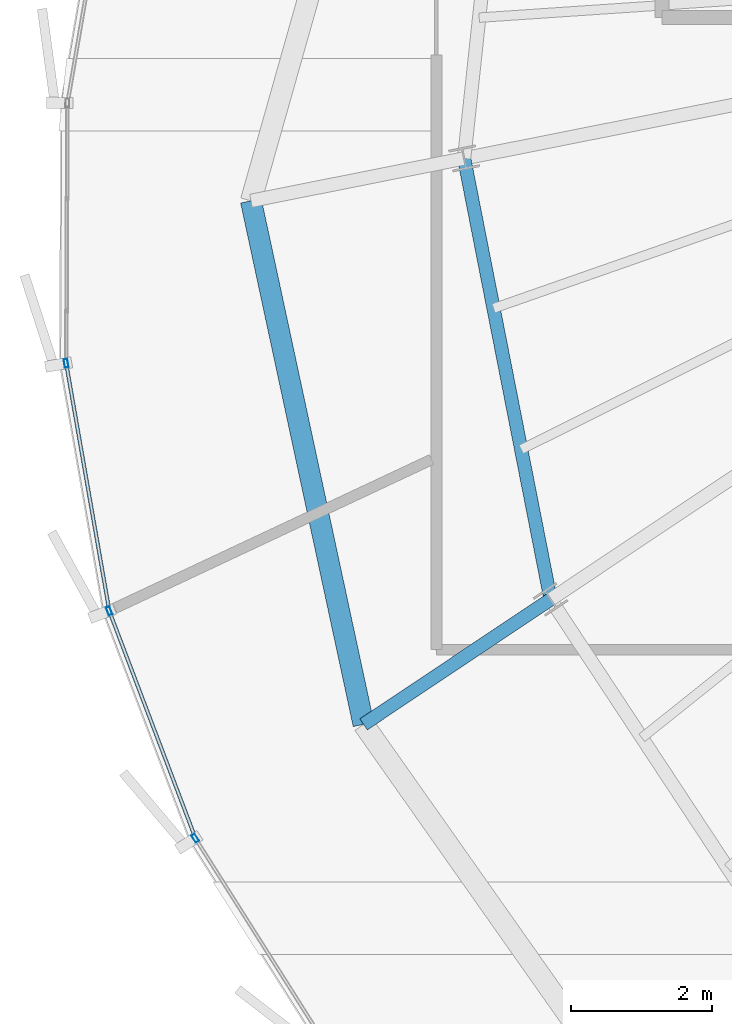
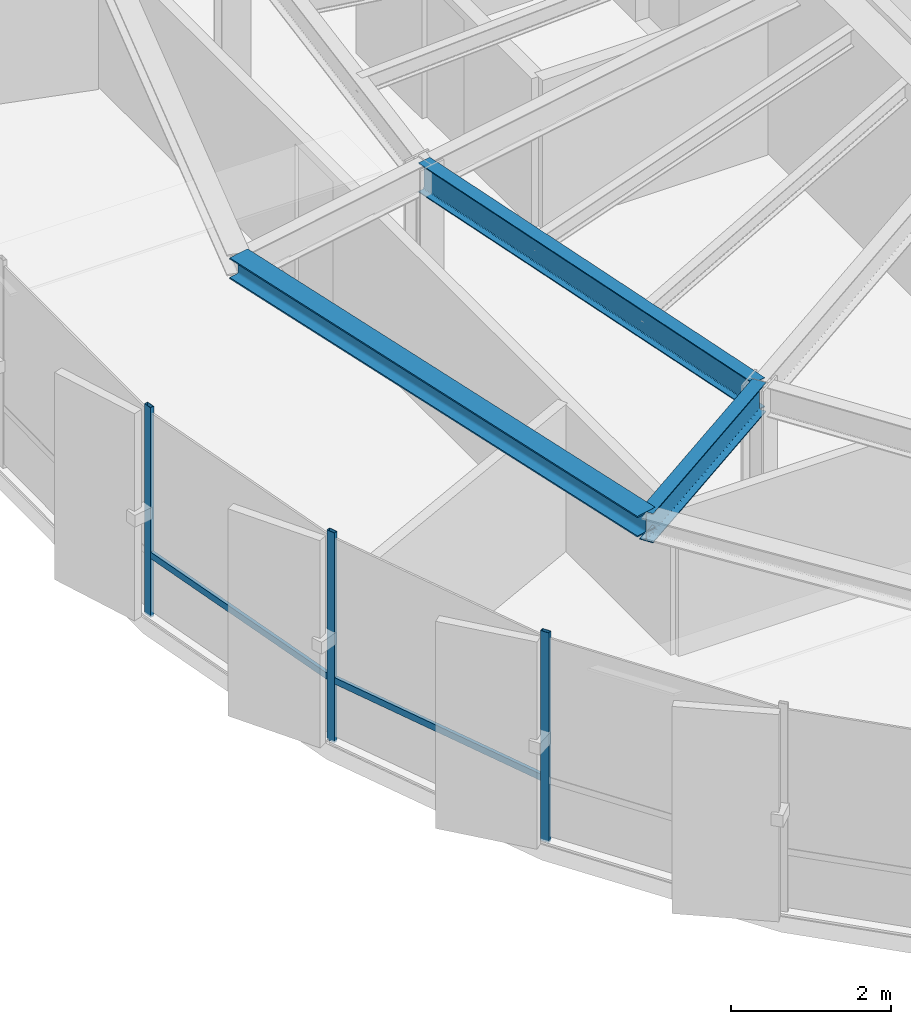
# One storey, part 4 of 33: 5 members, 3 beams, 1 element without a shape of its own.
"""IFC4 building model written with IfcOpenShell, lengths in metres."""

import ifcopenshell
import ifcopenshell.guid

model = None  # the IFC model being written
_history = None  # IfcOwnerHistory: only IFC2X3 demands one
_inside = {}  # id of a spatial element -> (the spatial element, [elements in it])
_under = {}  # id of a project, library or spatial element -> (it, [spatial elements below it])
_declared = {}  # id of a project -> (the project, [libraries it declares])
_typed = {}  # id of a type object -> (the type object, [elements of that type])
_made_of = {}  # id of a material, layer set ... -> (it, [elements and type objects made of it])


def new_model(schema):
    """Start an empty IFC model of exactly this schema.

    Asked for "IFC4X3", IfcOpenShell would pick the latest addendum, in which some entities
    have other attributes; the version numbers below select the first issue.
    IFC2X3 requires an IfcOwnerHistory on every rooted entity: one is made here for all.
    """
    global model, _history
    if schema == "IFC4X3":
        model = ifcopenshell.file(schema_version=(4, 3, 0, 0))
    else:
        model = ifcopenshell.file(schema=schema)
    _inside.clear()
    _under.clear()
    _declared.clear()
    _typed.clear()
    _made_of.clear()
    _history = None
    if model.schema == "IFC2X3":
        org = make("IfcOrganization", Name="unknown")
        user = make(
            "IfcPersonAndOrganization",
            ThePerson=make("IfcPerson", FamilyName="unknown"),
            TheOrganization=org,
        )
        app = make(
            "IfcApplication",
            ApplicationDeveloper=org,
            Version="unknown",
            ApplicationFullName="unknown",
            ApplicationIdentifier="unknown",
        )
        _history = make(
            "IfcOwnerHistory",
            OwningUser=user,
            OwningApplication=app,
            ChangeAction="ADDED",
            CreationDate=0,
        )
    return model


def make(cls, **values):
    """One entity of the class cls with the attributes given. An attribute that is None is left unset."""
    return model.create_entity(
        cls, **{name: value for name, value in values.items() if value is not None}
    )


def rooted(cls, **values):
    """An entity with a GlobalId (a new one), such as an element, a storey or a relation."""
    return make(cls, GlobalId=ifcopenshell.guid.new(), OwnerHistory=_history, **values)


def si_unit(unit_type, name, prefix=None):
    """IfcSIUnit, for example si_unit("LENGTHUNIT", "METRE", prefix="MILLI")."""
    return make("IfcSIUnit", UnitType=unit_type, Prefix=prefix, Name=name)


def assignment(units):
    """IfcUnitAssignment: the units of a project."""
    return None if units is None else make("IfcUnitAssignment", Units=units)


def point(xyz):
    """IfcCartesianPoint."""
    return None if xyz is None else make("IfcCartesianPoint", Coordinates=xyz)


def direction(xyz):
    """IfcDirection."""
    return None if xyz is None else make("IfcDirection", DirectionRatios=xyz)


def frame(location, z_axis=None, x_axis=None):
    """IfcAxis2Placement3D, a coordinate frame: its origin and axes. An axis left out is left unset."""
    return make(
        "IfcAxis2Placement3D",
        Location=point(location),
        Axis=direction(z_axis),
        RefDirection=direction(x_axis),
    )


def frame_2d(location, x_axis=None):
    """IfcAxis2Placement2D, a coordinate frame in the plane: its origin and x axis."""
    return make(
        "IfcAxis2Placement2D", Location=point(location), RefDirection=direction(x_axis)
    )


def origin():
    """The frame at (0, 0, 0) with its axes left unset."""
    return frame((0.0, 0.0, 0.0))


def origin_2d():
    """The frame at (0, 0) in the plane with its x axis left unset."""
    return frame_2d((0.0, 0.0))


def place(relative_to, where):
    """IfcLocalPlacement: puts the frame where relative to a parent placement (None: the world)."""
    return make(
        "IfcLocalPlacement", PlacementRelTo=relative_to, RelativePlacement=where
    )


def context(
    kind, dimensions, precision=None, world=None, true_north=None, identifier=None
):
    """IfcGeometricRepresentationContext, for example the 3D "Model" context."""
    return make(
        "IfcGeometricRepresentationContext",
        ContextIdentifier=identifier,
        ContextType=kind,
        CoordinateSpaceDimension=dimensions,
        Precision=precision,
        WorldCoordinateSystem=world,
        TrueNorth=true_north,
    )


def subcontext(parent, identifier, kind, view, scale=None):
    """IfcGeometricRepresentationSubContext, for example "Body" below "Model"."""
    return make(
        "IfcGeometricRepresentationSubContext",
        ContextIdentifier=identifier,
        ContextType=kind,
        ParentContext=parent,
        TargetScale=scale,
        TargetView=view,
    )


def project(units=None, contexts=None):
    """IfcProject with its units and contexts."""
    return rooted(
        "IfcProject",
        Name="project",
        RepresentationContexts=contexts,
        UnitsInContext=assignment(units),
    )


def spatial(cls, under=None, at=None, **own):
    """A site, building, storey or space (cls), placed at a placement, below another one or the project."""
    s = rooted(cls, ObjectPlacement=at, **own)
    if under is not None:
        _under.setdefault(under.id(), (under, []))[1].append(s)
    return s


def profile(cls, at=None, kind="AREA", **sizes):
    """A parametric profile (cls). Its sizes go by their IFC names, for example OverallWidth=200.0."""
    return make(cls, ProfileType=kind, Position=at, **sizes)


def hollow_rectangle(**sizes):
    """IfcRectangleHollowProfileDef."""
    return profile("IfcRectangleHollowProfileDef", **sizes)


def i_section(**sizes):
    """IfcIShapeProfileDef."""
    return profile("IfcIShapeProfileDef", **sizes)


def extrude(swept, where, along, depth):
    """IfcExtrudedAreaSolid: the profile swept, set in the frame where, extruded along a direction by depth."""
    return make(
        "IfcExtrudedAreaSolid",
        SweptArea=swept,
        Position=where,
        ExtrudedDirection=direction(along),
        Depth=depth,
    )


def shape(context_of_items, identifier, shape_type, items):
    """IfcShapeRepresentation: the items that make up one representation, for example the "Body"."""
    return make(
        "IfcShapeRepresentation",
        ContextOfItems=context_of_items,
        RepresentationIdentifier=identifier,
        RepresentationType=shape_type,
        Items=items,
    )


def source(mapping_origin, context_of_items, identifier, shape_type, items):
    """IfcRepresentationMap: a shape defined once, which mapped items show again and again."""
    return make(
        "IfcRepresentationMap",
        MappingOrigin=mapping_origin,
        MappedRepresentation=shape(context_of_items, identifier, shape_type, items),
    )


def transform(
    local_origin,
    x_axis=None,
    y_axis=None,
    z_axis=None,
    scale=None,
    scale2=None,
    scale3=None,
    uniform=True,
):
    """IfcCartesianTransformationOperator3D, or its non-uniform kind. x_axis, y_axis, z_axis: its Axis1, 2, 3."""
    if uniform:
        return make(
            "IfcCartesianTransformationOperator3D",
            Axis1=direction(x_axis),
            Axis2=direction(y_axis),
            LocalOrigin=point(local_origin),
            Scale=scale,
            Axis3=direction(z_axis),
        )
    return make(
        "IfcCartesianTransformationOperator3DnonUniform",
        Axis1=direction(x_axis),
        Axis2=direction(y_axis),
        LocalOrigin=point(local_origin),
        Scale=scale,
        Axis3=direction(z_axis),
        Scale2=scale2,
        Scale3=scale3,
    )


def mapped(mapping_source, mapping_target):
    """IfcMappedItem: shows the shape of a source again, moved by a transform."""
    return make(
        "IfcMappedItem", MappingSource=mapping_source, MappingTarget=mapping_target
    )


def material(Name=None, Category=None):
    """IfcMaterial."""
    return make("IfcMaterial", Name=Name, Category=Category)


def layer(
    of_material, thickness, ventilated=None, Name=None, Category=None, Priority=None
):
    """IfcMaterialLayer: one layer of a wall or slab, of a material (None: an air gap)."""
    return make(
        "IfcMaterialLayer",
        Material=of_material,
        LayerThickness=thickness,
        IsVentilated=ventilated,
        Name=Name,
        Category=Category,
        Priority=Priority,
    )


def layer_set(layers, Name=None):
    """IfcMaterialLayerSet."""
    return make("IfcMaterialLayerSet", MaterialLayers=layers, LayerSetName=Name)


def material_profile(
    of_material, cross_section, Name=None, Category=None, Priority=None
):
    """IfcMaterialProfile: a cross section and its material."""
    return make(
        "IfcMaterialProfile",
        Name=Name,
        Material=of_material,
        Profile=cross_section,
        Priority=Priority,
        Category=Category,
    )


def profile_set(profiles, Name=None, composite=None):
    """IfcMaterialProfileSet."""
    return make(
        "IfcMaterialProfileSet",
        Name=Name,
        MaterialProfiles=profiles,
        CompositeProfile=composite,
    )


def made_of(thing, what):
    """Note that an element or type object is made of a material, layer set ...; save() writes the relation."""
    if what is not None:
        _made_of.setdefault(what.id(), (what, []))[1].append(thing)
    return thing


def type_object(cls, material=None, **own):
    """A type object (cls), such as IfcWallType, which elements share."""
    return made_of(rooted(cls, **own), material)


def element(
    cls,
    number,
    at=None,
    inside=None,
    cuts=None,
    type_object=None,
    material=None,
    context=None,
    identifier="Body",
    shape_type=None,
    held_by="IfcProductDefinitionShape",
    body=None,
    shapes=None,
    **own,
):
    """One element of the class cls, such as IfcWall. Its Tag is "e" and its number.

    at: its placement. inside: the storey or other place that contains it. cuts: it is an
    opening in that element (IfcRelVoidsElement). A single representation is given by context,
    identifier, shape_type and body (its items); several are given by shapes. held_by: the class
    of the entity that holds the representations. save() writes the other relations.
    """
    e = rooted(cls, Tag="e%d" % number, ObjectPlacement=at, **own)
    if body is not None:
        shapes = [shape(context, identifier, shape_type, body)]
    if shapes is not None:
        e.Representation = make(held_by, Representations=shapes)
    if inside is not None:
        _inside.setdefault(inside.id(), (inside, []))[1].append(e)
    if cuts is not None:
        rooted(
            "IfcRelVoidsElement", RelatingBuildingElement=cuts, RelatedOpeningElement=e
        )
    if type_object is not None:
        _typed.setdefault(type_object.id(), (type_object, []))[1].append(e)
    return made_of(e, material)


def aggregate(whole, parts):
    """IfcRelAggregates: a whole, such as a stair, and the parts it consists of."""
    return rooted("IfcRelAggregates", RelatingObject=whole, RelatedObjects=parts)


def save(model, path):
    """Write the relations noted so far, then the file.

    IfcRelAggregates (storeys below a building ...), IfcRelContainedInSpatialStructure (elements
    in a storey), IfcRelDefinesByType, IfcRelAssociatesMaterial and IfcRelDeclares: one each for
    every whole, place, type object, material and project.
    """
    for whole, parts in _under.values():
        aggregate(whole, parts)
    for where, things in _inside.values():
        rooted(
            "IfcRelContainedInSpatialStructure",
            RelatedElements=things,
            RelatingStructure=where,
        )
    for kind, things in _typed.values():
        rooted("IfcRelDefinesByType", RelatedObjects=things, RelatingType=kind)
    for what, things in _made_of.values():
        rooted("IfcRelAssociatesMaterial", RelatedObjects=things, RelatingMaterial=what)
    for by, libraries in _declared.values():
        rooted("IfcRelDeclares", RelatingContext=by, RelatedDefinitions=libraries)
    model.write(path)


model = new_model("IFC4")

# Units and contexts
model_context = context("Model", 3, precision=1e-05, world=origin(), true_north=direction((0.0, 1.0)))
body_context = subcontext(model_context, "Body", "Model", "MODEL_VIEW")
ifc_project = project(units=[si_unit("LENGTHUNIT", "METRE"), si_unit("AREAUNIT", "SQUARE_METRE"), si_unit("VOLUMEUNIT", "CUBIC_METRE"), si_unit("PLANEANGLEUNIT", "RADIAN"), si_unit("MASSUNIT", "GRAM", prefix="KILO"), si_unit("THERMODYNAMICTEMPERATUREUNIT", "KELVIN")], contexts=[model_context])

# Site, building, storey
site_placement = place(None, origin())
site = spatial("IfcSite", under=ifc_project, at=site_placement, CompositionType="ELEMENT")
building_placement = place(site_placement, origin())
building = spatial("IfcBuilding", under=site, at=building_placement, Name="Kethvar Cultural Tower", CompositionType="ELEMENT")
storey_placement = place(building_placement, frame((0.0, 0.0, 238.75)))
storey = spatial("IfcBuildingStorey", under=building, at=storey_placement, Name="L62", CompositionType="ELEMENT", Elevation=238.75)

# Beams
ifc_material_1 = material(Name="Steel S355J2", Category="steel")
ifc_material_profile_1 = material_profile(ifc_material_1, i_section(OverallWidth=0.18994140625, OverallDepth=0.449951171875, WebThickness=0.009521484375, FlangeThickness=0.0146484375, FilletRadius=0.02099609375, at=origin_2d()), Name="Steel S355J2 — IPE450")
ifc_profile_set_1 = profile_set([ifc_material_profile_1], Name="Steel S355J2 — IPE450")
beam_type_1 = type_object("IfcBeamType", Name="BM-IPE450", PredefinedType="BEAM", material=ifc_profile_set_1)
shared_shape_1 = source(origin(), body_context, "Body", "SweptSolid", [
    extrude(i_section(OverallWidth=0.18994140625, OverallDepth=0.449951171875, WebThickness=0.009521484375, FlangeThickness=0.0146484375, FilletRadius=0.02099609375, at=origin_2d()), origin(), (0.0, 0.0, 1.0), 3.199951171875),
])
beam_1_placement = place(storey_placement, frame((32.912841796875, 18.52099609375, 2.98291015625), z_axis=(-0.831462943996, -0.555580212716, 0.0), x_axis=(0.555580212716, -0.831462943996, 0.0)))
element("IfcBeam", 1, at=beam_1_placement, inside=storey, type_object=beam_type_1, Name="L62 Perimeter Cantilever Beam RC-10", PredefinedType="BEAM", context=body_context, shape_type="MappedRepresentation", body=[
    mapped(shared_shape_1, transform((0.0, 0.0, 0.0), scale=1.0)),
])
shared_shape_2 = source(origin(), body_context, "Body", "SweptSolid", [
    extrude(i_section(OverallWidth=0.18994140625, OverallDepth=0.449951171875, WebThickness=0.009521484375, FlangeThickness=0.0146484375, FilletRadius=0.02099609375, at=origin_2d()), origin(), (0.0, 0.0, 1.0), 6.391357421875),
])
beam_2_placement = place(storey_placement, frame((31.68310546875, 24.79296875, 2.98291015625), z_axis=(0.192405084368, -0.981315588131, 0.0), x_axis=(0.981315588131, 0.192405084368, 0.0)))
element("IfcBeam", 2, at=beam_2_placement, inside=storey, type_object=beam_type_1, Name="L62 Column Ring Tie Beam CR-09", PredefinedType="BEAM", context=body_context, shape_type="MappedRepresentation", body=[
    mapped(shared_shape_2, transform((0.0, 0.0, 0.0), scale=1.0)),
])
ifc_material_profile_2 = material_profile(ifc_material_1, i_section(OverallWidth=0.300048828125, OverallDepth=0.320068359375, WebThickness=0.011474609375, FlangeThickness=0.0205078125, FilletRadius=0.027099609375, at=origin_2d()), Name="Steel S355J2 — HEB320")
ifc_profile_set_2 = profile_set([ifc_material_profile_2], Name="Steel S355J2 — HEB320")
beam_type_2 = type_object("IfcBeamType", Name="BM-SP320", PredefinedType="SPANDREL", material=ifc_profile_set_2)
shared_shape_3 = source(origin(), body_context, "Body", "SweptSolid", [
    extrude(i_section(OverallWidth=0.300048828125, OverallDepth=0.320068359375, WebThickness=0.011474609375, FlangeThickness=0.0205078125, FilletRadius=0.027099609375, at=origin_2d()), origin(), (0.0, 0.0, 1.0), 7.616943359375),
])
beam_3_placement = place(storey_placement, frame((28.651123046875, 24.18994140625, 3.048095703125), z_axis=(0.210198854051, -0.977658652985, 0.0), x_axis=(0.977658652985, 0.210198854051, 0.0)))
element("IfcBeam", 3, at=beam_3_placement, inside=storey, type_object=beam_type_2, Name="L62 Perimeter Spandrel Beam SP-09", PredefinedType="SPANDREL", context=body_context, shape_type="MappedRepresentation", body=[
    mapped(shared_shape_3, transform((0.0, 0.0, 0.0), scale=1.0)),
])

# Curtain wall, members
ifc_material_2 = material(Name="Aluminium 6063-T6", Category="aluminium")
ifc_layer = layer(ifc_material_2, 0.179931640625, Name="Aluminium 6063-T6", Category="aluminium")
ifc_layer_set = layer_set([ifc_layer], Name="Aluminium 6063-T6 (180 mm)")
curtain_wall_type = type_object("IfcCurtainWallType", Name="CW-SYS-05-Z56", PredefinedType="NOTDEFINED", material=ifc_layer_set)
curtain_wall_placement = place(storey_placement, origin())
curtain_wall = element("IfcCurtainWall", 4, at=curtain_wall_placement, inside=storey, type_object=curtain_wall_type, Name="L62 Curtain Wall Run 03", PredefinedType="NOTDEFINED")
ifc_material_profile_3 = material_profile(ifc_material_2, hollow_rectangle(XDim=0.054931640625, YDim=0.1201171875, WallThickness=0.00390625, at=origin_2d()), Name="Aluminium 6063-T6 — RHS120x55x4")
ifc_profile_set_3 = profile_set([ifc_material_profile_3], Name="Aluminium 6063-T6 — RHS120x55x4")
member_type_1 = type_object("IfcMemberType", Name="CW-SYS-05-Z56-MUL", PredefinedType="MULLION", material=ifc_profile_set_3)
shared_shape_4 = source(origin(), body_context, "Body", "SweptSolid", [
    extrude(hollow_rectangle(XDim=0.054931640625, YDim=0.1201171875, WallThickness=0.00390625, at=origin_2d()), origin(), (0.0, 0.0, 1.0), 3.2099609375),
])
member_1_placement = place(storey_placement, frame((26.022705078125, 21.879638671875, 0.0), z_axis=(0.0, 0.0, 1.0), x_axis=(0.985115327012, 0.171894713372, 0.0)))
member_1 = element("IfcMember", 5, at=member_1_placement, type_object=member_type_1, Name="CW-L62-R03 Mullion 3", PredefinedType="MULLION", context=body_context, shape_type="MappedRepresentation", body=[
    mapped(shared_shape_4, transform((0.0, 0.0, 0.0), scale=1.0)),
])
member_2_placement = place(storey_placement, frame((26.635498046875, 18.35791015625, 0.0), z_axis=(0.0, 0.0, 1.0), x_axis=(0.935030048258, 0.354568482601, 0.0)))
member_2 = element("IfcMember", 6, at=member_2_placement, type_object=member_type_1, Name="CW-L62-R03 Mullion 4", PredefinedType="MULLION", context=body_context, shape_type="MappedRepresentation", body=[
    mapped(shared_shape_4, transform((0.0, 0.0, 0.0), scale=1.0)),
])
member_3_placement = place(storey_placement, frame((27.859619140625, 15.123779296875, 0.0), z_axis=(0.0, 0.0, 1.0), x_axis=(0.845252506885, 0.53436710191, 0.0)))
member_3 = element("IfcMember", 7, at=member_3_placement, type_object=member_type_1, Name="CW-L62-R03 Mullion 5", PredefinedType="MULLION", context=body_context, shape_type="MappedRepresentation", body=[
    mapped(shared_shape_4, transform((0.0, 0.0, 0.0), scale=1.0)),
])
ifc_material_profile_4 = material_profile(ifc_material_2, hollow_rectangle(XDim=0.050048828125, YDim=0.10009765625, WallThickness=0.00390625, at=origin_2d()), Name="Aluminium 6063-T6 — RHS100x50x4")
ifc_profile_set_4 = profile_set([ifc_material_profile_4], Name="Aluminium 6063-T6 — RHS100x50x4")
member_type_2 = type_object("IfcMemberType", Name="CW-SYS-05-Z56-TRN", PredefinedType="USERDEFINED", material=ifc_profile_set_4)
shared_shape_5 = source(origin(), body_context, "Body", "SweptSolid", [
    extrude(hollow_rectangle(XDim=0.050048828125, YDim=0.10009765625, WallThickness=0.00390625, at=origin_2d()), origin(), (0.0, 0.0, 1.0), 3.51416015625),
])
member_4_placement = place(storey_placement, frame((26.029541015625, 21.840576171875, 0.949951171875), z_axis=(0.171874748738, -0.985118810472, 0.0), x_axis=(0.985118810472, 0.171874748738, 0.0)))
member_4 = element("IfcMember", 8, at=member_4_placement, type_object=member_type_2, Name="CW-L62-R03 Transom 3", ObjectType="TRANSOM", PredefinedType="USERDEFINED", context=body_context, shape_type="MappedRepresentation", body=[
    mapped(shared_shape_5, transform((0.0, 0.0, 0.0), scale=1.0)),
])
shared_shape_6 = source(origin(), body_context, "Body", "SweptSolid", [
    extrude(hollow_rectangle(XDim=0.050048828125, YDim=0.10009765625, WallThickness=0.00390625, at=origin_2d()), origin(), (0.0, 0.0, 1.0), 3.398681640625),
])
member_5_placement = place(storey_placement, frame((26.6494140625, 18.32080078125, 0.949951171875), z_axis=(0.354584935572, -0.935023809037, 0.0), x_axis=(0.935023809037, 0.354584935572, 0.0)))
member_5 = element("IfcMember", 9, at=member_5_placement, type_object=member_type_2, Name="CW-L62-R03 Transom 4", ObjectType="TRANSOM", PredefinedType="USERDEFINED", context=body_context, shape_type="MappedRepresentation", body=[
    mapped(shared_shape_6, transform((0.0, 0.0, 0.0), scale=1.0)),
])
aggregate(curtain_wall, [member_1, member_2, member_3, member_4, member_5])

save(model, "model.ifc")
